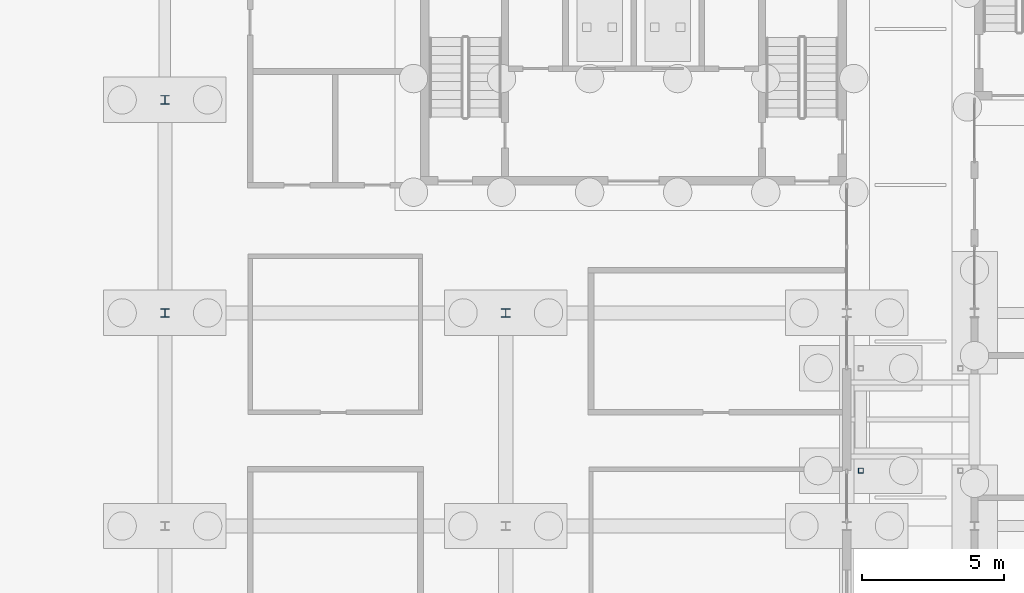
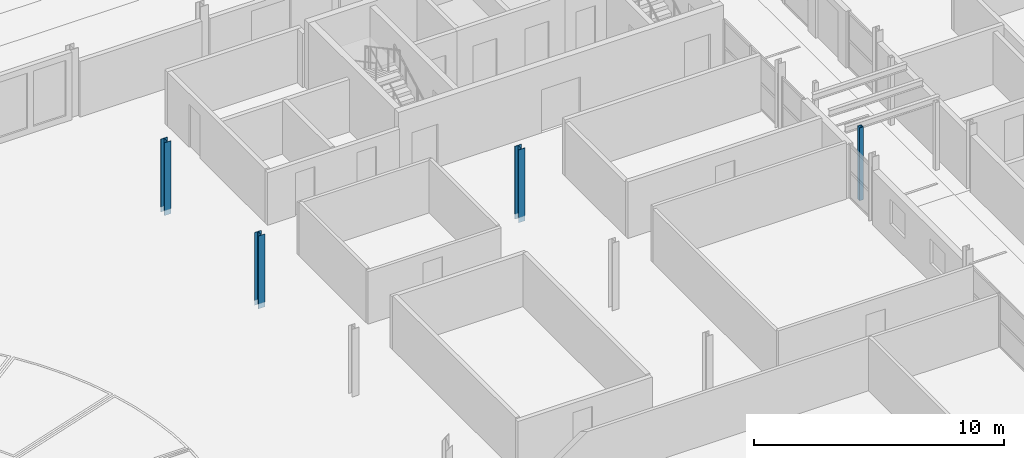
# One storey, part 18 of 130: 4 columns.
"""IFC4 building model written with IfcOpenShell, lengths in metres."""

from ifc_helpers import new_model, si_unit, direction, frame, origin, origin_2d, place, context, subcontext, project, spatial, hollow_rectangle, i_section, extrude, material, material_profile, profile_set, type_object, element, save


model = new_model("IFC4")

# Units and contexts
model_context = context("Model", 3, precision=1e-05, world=origin(), true_north=direction((0.0, 1.0)))
body_context = subcontext(model_context, "Body", "Model", "MODEL_VIEW")
ifc_project = project(units=[si_unit("LENGTHUNIT", "METRE"), si_unit("AREAUNIT", "SQUARE_METRE"), si_unit("VOLUMEUNIT", "CUBIC_METRE"), si_unit("PLANEANGLEUNIT", "RADIAN"), si_unit("MASSUNIT", "GRAM", prefix="KILO")], contexts=[model_context])

# Site, building, storey
site_placement = place(None, origin())
site = spatial("IfcSite", under=ifc_project, at=site_placement, CompositionType="ELEMENT")
building_placement = place(site_placement, origin())
building = spatial("IfcBuilding", under=site, at=building_placement, Name="Parallax Yard Mobility Hub", CompositionType="ELEMENT")
storey_placement = place(building_placement, origin())
storey = spatial("IfcBuildingStorey", under=building, at=storey_placement, Name="L00", CompositionType="ELEMENT", Elevation=0.0)

# Columns
ifc_material_1 = material(Name="Steel ASTM A500 Gr C", Category="steel")
ifc_material_profile_1 = material_profile(ifc_material_1, hollow_rectangle(XDim=0.177734375, YDim=0.177734375, WallThickness=0.009521484375, at=origin_2d()), Name="HSS178x178x9.5")
ifc_profile_set_1 = profile_set([ifc_material_profile_1], Name="Steel ASTM A500 Gr C")
column_type_1 = type_object("IfcColumnType", Name="Roof column HSS178x178x9.5", PredefinedType="COLUMN", material=ifc_profile_set_1)
column_placement = place(storey_placement, frame((93.5, 31.949951171875, -0.25), z_axis=(0.0, 0.0, 1.0), x_axis=(1.0, 0.0, 0.0)))
element("IfcColumn", 1, at=column_placement, inside=storey, type_object=column_type_1, Name="Bridge BR1 level L01 roof pier 1 at y 31.95 level L00", PredefinedType="COLUMN", context=body_context, shape_type="SweptSolid", body=[
    extrude(hollow_rectangle(XDim=0.177734375, YDim=0.177734375, WallThickness=0.009521484375, at=origin_2d()), origin(), (0.0, 0.0, 1.0), 3.550048828125),
])
ifc_material_2 = material(Name="Steel ASTM A992", Category="steel")
ifc_material_profile_2 = material_profile(ifc_material_2, i_section(OverallWidth=0.304931640625, OverallDepth=0.306884765625, WebThickness=0.010009765625, FlangeThickness=0.015380859375, FilletRadius=0.01513671875, at=origin_2d()), Name="W310x97")
ifc_profile_set_2 = profile_set([ifc_material_profile_2], Name="Steel ASTM A992")
column_type_2 = type_object("IfcColumnType", Name="W310x97 column", PredefinedType="COLUMN", material=ifc_profile_set_2)
for number, where, z_axis, x_axis, name in (
    (2, (69.0, 37.5, -0.25), (0.0, 0.0, 1.0), (1.0, 0.0, 0.0), "Column C1 level L00 at F11/F of bus and taxi deck"),
    (3, (69.0, 45.0, -0.25), (0.0, 0.0, 1.0), (1.0, 0.0, 0.0), "Column C1 level L00 at F11/G of bus and taxi deck"),
    (4, (81.0, 37.5, -0.25), (0.0, 0.0, 1.0), (1.0, 0.0, 0.0), "Column C1 level L00 at F13/F of bus and taxi deck"),
):
    element("IfcColumn", number, at=place(storey_placement, frame(where, z_axis=z_axis, x_axis=x_axis)), inside=storey, type_object=column_type_2, Name=name, PredefinedType="COLUMN", context=body_context, shape_type="SweptSolid", body=[
        extrude(i_section(OverallWidth=0.304931640625, OverallDepth=0.306884765625, WebThickness=0.010009765625, FlangeThickness=0.015380859375, FilletRadius=0.01513671875, at=origin_2d()), origin(), (0.0, 0.0, 1.0), 3.550048828125),
    ])

save(model, "model.ifc")
